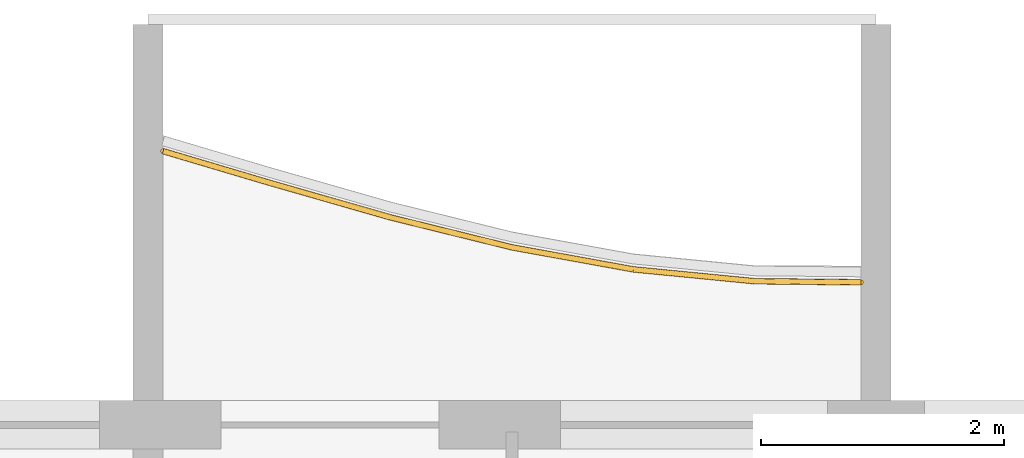
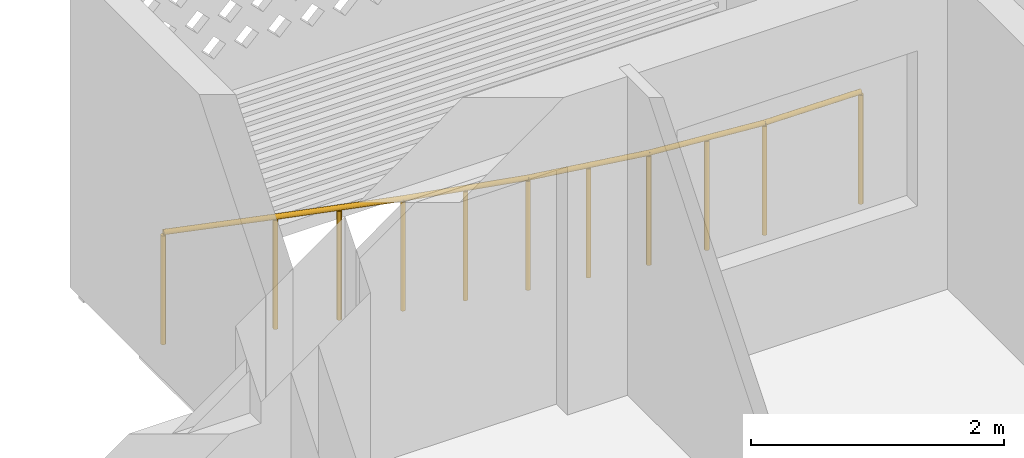
# One storey, part 24 of 27: 1 railing.
"""IFC4 building model written with IfcOpenShell, lengths in metres."""

from ifc_helpers import new_model, si_unit, direction, frame, origin, origin_2d, place, context, subcontext, project, spatial, circle, extrude, material, type_object, element, save


model = new_model("IFC4")

# Units and contexts
model_context = context("Model", 3, precision=1e-05, world=origin(), true_north=direction((0.0, 1.0)))
body_context = subcontext(model_context, "Body", "Model", "MODEL_VIEW")
ifc_project = project(units=[si_unit("LENGTHUNIT", "METRE"), si_unit("AREAUNIT", "SQUARE_METRE"), si_unit("VOLUMEUNIT", "CUBIC_METRE"), si_unit("PLANEANGLEUNIT", "RADIAN"), si_unit("MASSUNIT", "GRAM", prefix="KILO")], contexts=[model_context])

# Site, building, storey
site_placement = place(None, origin())
site = spatial("IfcSite", under=ifc_project, at=site_placement, CompositionType="ELEMENT")
building_placement = place(site_placement, origin())
building = spatial("IfcBuilding", under=site, at=building_placement, Name="Poui Terraces", CompositionType="ELEMENT")
storey_placement = place(building_placement, frame((0.0, 0.0, 204.89990234375)))
storey = spatial("IfcBuildingStorey", under=building, at=storey_placement, Name="L57", CompositionType="ELEMENT", Elevation=204.89990234375)

# Railing
ifc_material = material(Name="Painted steel fretwork", Category="steel")
railing_type = type_object("IfcRailingType", Name="BALCONY GUARD 1100", PredefinedType="GUARDRAIL", material=ifc_material)
railing_placement = place(storey_placement, frame((60.125, 43.45556640625, 0.0)))
element("IfcRailing", 1, at=railing_placement, inside=storey, type_object=railing_type, Name="BALCONY GUARD", PredefinedType="GUARDRAIL", context=body_context, shape_type="SweptSolid", body=[
    extrude(circle(Radius=0.02392578125, at=origin_2d()), frame((0.0, 0.0, 1.076171875), z_axis=(0.958646866278, -0.284598288426, 0.0), x_axis=(0.284598288426, 0.958646866278, 0.0)), (0.0, 0.0, 1.0), 0.912841796875),
    extrude(circle(Radius=0.02392578125, at=origin_2d()), frame((0.875, -0.259765625, 1.076171875), z_axis=(0.96141758688, -0.275093118121, 0.0), x_axis=(0.275093118121, 0.96141758688, 0.0)), (0.0, 0.0, 1.0), 1.0400390625),
    extrude(circle(Radius=0.02392578125, at=origin_2d()), frame((1.875, -0.5458984375, 1.076171875), z_axis=(0.970918311966, -0.239411009542, 0.0), x_axis=(0.239411009542, 0.970918311966, 0.0)), (0.0, 0.0, 1.0), 1.030029296875),
    extrude(circle(Radius=0.02392578125, at=origin_2d()), frame((2.875, -0.79248046875, 1.076171875), z_axis=(0.983942855126, -0.178483774746, 0.0), x_axis=(0.178483774746, 0.983942855126, 0.0)), (0.0, 0.0, 1.0), 1.016357421875),
    extrude(circle(Radius=0.02392578125, at=origin_2d()), frame((3.875, -0.973876953125, 1.076171875), z_axis=(0.995265465661, -0.097193893131, 0.0), x_axis=(0.097193893131, 0.995265465661, 0.0)), (0.0, 0.0, 1.0), 1.004638671875),
    extrude(circle(Radius=0.02392578125, at=origin_2d()), frame((4.875, -1.071533203125, 1.076171875), z_axis=(0.999949556392, -0.010044136169, 0.0), x_axis=(0.010044136169, 0.999949556392, 0.0)), (0.0, 0.0, 1.0), 0.875),
    extrude(circle(Radius=0.02099609375, at=origin_2d()), origin(), (0.0, 0.0, 1.0), 1.052001953125),
    extrude(circle(Radius=0.02099609375, at=origin_2d()), frame((0.875, -0.259765625, 0.0)), (0.0, 0.0, 1.0), 1.052001953125),
    extrude(circle(Radius=0.02099609375, at=origin_2d()), frame((1.375, -0.40283203125, 0.0)), (0.0, 0.0, 1.0), 1.052001953125),
    extrude(circle(Radius=0.02099609375, at=origin_2d()), frame((1.875, -0.5458984375, 0.0)), (0.0, 0.0, 1.0), 1.052001953125),
    extrude(circle(Radius=0.02099609375, at=origin_2d()), frame((2.375, -0.669189453125, 0.0)), (0.0, 0.0, 1.0), 1.052001953125),
    extrude(circle(Radius=0.02099609375, at=origin_2d()), frame((2.875, -0.79248046875, 0.0)), (0.0, 0.0, 1.0), 1.052001953125),
    extrude(circle(Radius=0.02099609375, at=origin_2d()), frame((3.375, -0.88330078125, 0.0)), (0.0, 0.0, 1.0), 1.052001953125),
    extrude(circle(Radius=0.02099609375, at=origin_2d()), frame((3.875, -0.973876953125, 0.0)), (0.0, 0.0, 1.0), 1.052001953125),
    extrude(circle(Radius=0.02099609375, at=origin_2d()), frame((4.375, -1.022705078125, 0.0)), (0.0, 0.0, 1.0), 1.052001953125),
    extrude(circle(Radius=0.02099609375, at=origin_2d()), frame((4.875, -1.071533203125, 0.0)), (0.0, 0.0, 1.0), 1.052001953125),
    extrude(circle(Radius=0.02099609375, at=origin_2d()), frame((5.75, -1.080322265625, 0.0)), (0.0, 0.0, 1.0), 1.052001953125),
])

save(model, "model.ifc")
